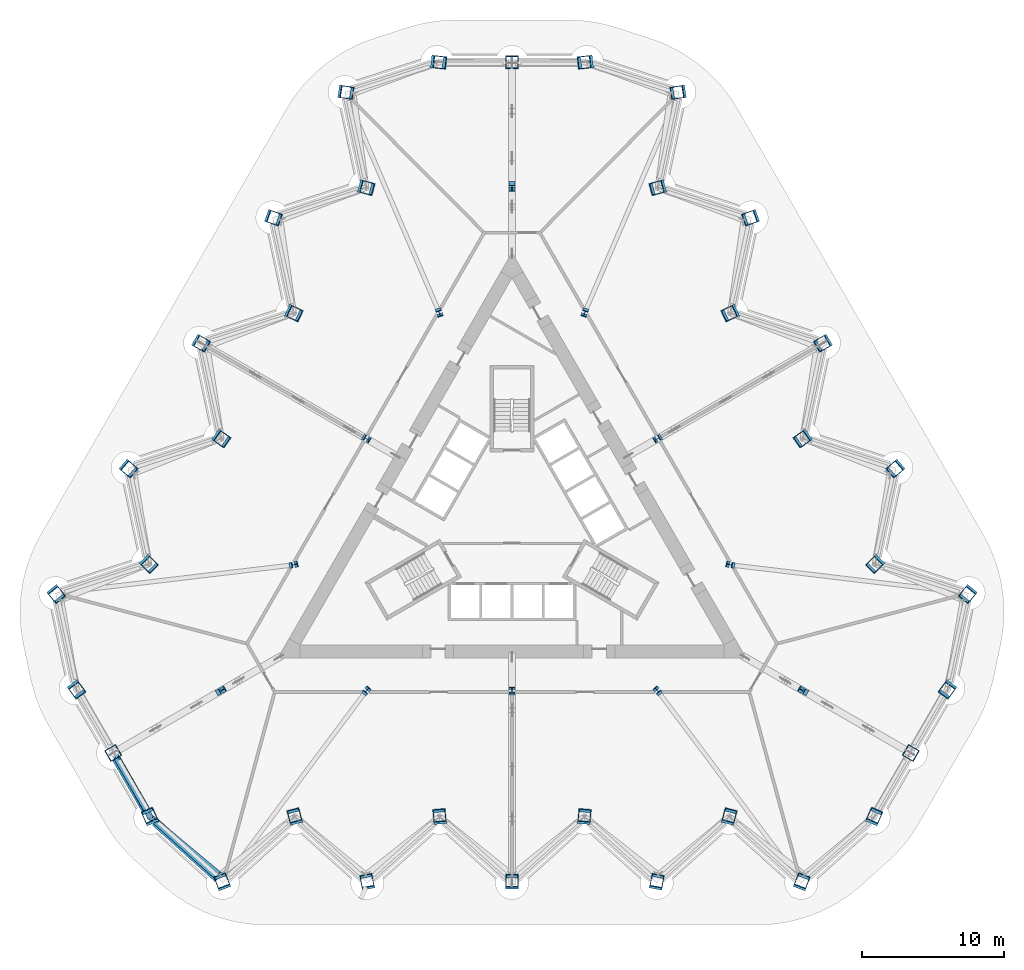
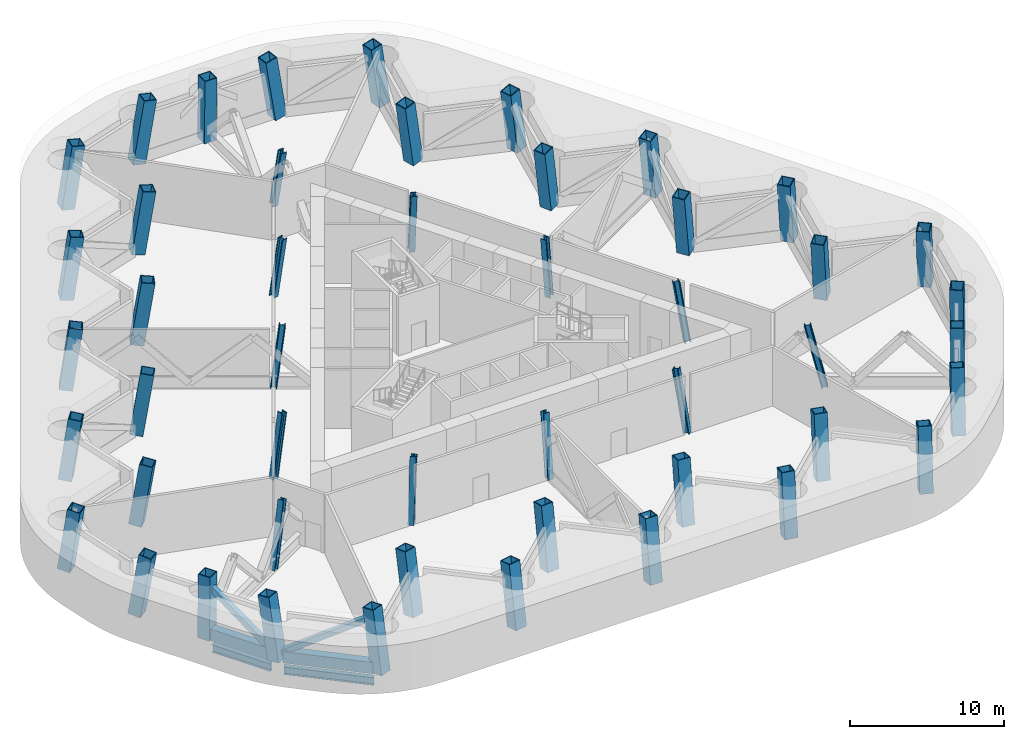
# One storey, part 1 of 13: 48 columns, 4 members, 2 beams.
"""IFC4 building model written with IfcOpenShell, lengths in metres."""

from ifc_helpers import new_model, si_unit, direction, frame, origin, origin_2d, place, context, subcontext, project, spatial, hollow_rectangle, i_section, extrude, material, material_profile, profile_set, type_object, element, save


model = new_model("IFC4")

# Units and contexts
model_context = context("Model", 3, precision=1e-05, world=origin(), true_north=direction((0.0, 1.0)))
body_context = subcontext(model_context, "Body", "Model", "MODEL_VIEW")
ifc_project = project(units=[si_unit("LENGTHUNIT", "METRE"), si_unit("AREAUNIT", "SQUARE_METRE"), si_unit("VOLUMEUNIT", "CUBIC_METRE"), si_unit("PLANEANGLEUNIT", "RADIAN"), si_unit("MASSUNIT", "GRAM", prefix="KILO")], contexts=[model_context])

# Site, building, storey
site_placement = place(None, origin())
site = spatial("IfcSite", under=ifc_project, at=site_placement, CompositionType="ELEMENT")
building_placement = place(site_placement, origin())
building = spatial("IfcBuilding", under=site, at=building_placement, Name="Cormorant Prow Tower", CompositionType="ELEMENT")
storey_placement = place(building_placement, frame((0.0, 0.0, 164.199951171875)))
storey = spatial("IfcBuildingStorey", under=building, at=storey_placement, Name="L34", CompositionType="ELEMENT", Elevation=164.199951171875)

# Columns
ifc_material_1 = material(Name="Structural steel ASTM A572 Gr 50", Category="steel")
ifc_material_profile_1 = material_profile(ifc_material_1, hollow_rectangle(XDim=0.89990234375, YDim=0.89990234375, WallThickness=0.06005859375, at=origin_2d()), Name="Box 900x900x60")
ifc_profile_set_1 = profile_set([ifc_material_profile_1], Name="Structural steel ASTM A572 Gr 50")
column_type_1 = type_object("IfcColumnType", Name="Perimeter box column 900x900x60", PredefinedType="COLUMN", material=ifc_profile_set_1)
column_1_placement = place(storey_placement, frame((-25.499755859375, -20.80712890625, 0.0), z_axis=(-0.063925118443, 0.145301890638, 0.987320079715), x_axis=(-0.915332943749, -0.402697904251, 0.0)))
element("IfcColumn", 1, at=column_1_placement, inside=storey, type_object=column_type_1, Name="Perimeter column C3 at S00 L34", PredefinedType="COLUMN", context=body_context, shape_type="SweptSolid", body=[
    extrude(hollow_rectangle(XDim=0.89990234375, YDim=0.89990234375, WallThickness=0.06005859375, at=origin_2d()), frame((0.0, 0.0, 0.072265625)), (0.0, 0.0, 1.0), 4.91943359375),
])
column_2_placement = place(storey_placement, frame((-20.399658203125, -25.399169921875, 0.0), z_axis=(-0.051318190418, 0.13409414163, 0.989638926333), x_axis=(-0.93394282344, -0.3574224427, 0.0)))
element("IfcColumn", 2, at=column_2_placement, inside=storey, type_object=column_type_1, Name="Perimeter column C3 at S01 L34", PredefinedType="COLUMN", context=body_context, shape_type="SweptSolid", body=[
    extrude(hollow_rectangle(XDim=0.89990234375, YDim=0.89990234375, WallThickness=0.06005859375, at=origin_2d()), frame((0.0, 0.0, 0.065185546875)), (0.0, 0.0, 1.0), 4.921875),
])
column_3_placement = place(storey_placement, frame((-15.2998046875, -20.80712890625, 0.0), z_axis=(-0.038424605206, 0.145492160916, 0.988612958051), x_axis=(-0.966849777203, -0.255345860204, 0.0)))
element("IfcColumn", 3, at=column_3_placement, inside=storey, type_object=column_type_1, Name="Perimeter column C3 at S02 L34", PredefinedType="COLUMN", context=body_context, shape_type="SweptSolid", body=[
    extrude(hollow_rectangle(XDim=0.89990234375, YDim=0.89990234375, WallThickness=0.06005859375, at=origin_2d()), frame((0.0, 0.0, 0.068603515625)), (0.0, 0.0, 1.0), 4.920654296875),
])
column_4_placement = place(storey_placement, frame((-10.199951171875, -25.399169921875, 0.0), z_axis=(-0.025636135128, 0.134226933927, 0.990618957412), x_axis=(-0.982245501071, -0.187600041646, 0.0)))
element("IfcColumn", 4, at=column_4_placement, inside=storey, type_object=column_type_1, Name="Perimeter column C3 at S03 L34", PredefinedType="COLUMN", context=body_context, shape_type="SweptSolid", body=[
    extrude(hollow_rectangle(XDim=0.89990234375, YDim=0.89990234375, WallThickness=0.06005859375, at=origin_2d()), frame((0.0, 0.0, 0.06201171875)), (0.0, 0.0, 1.0), 4.923095703125),
])
column_5_placement = place(storey_placement, frame((-5.099853515625, -20.80712890625, 0.0), z_axis=(-0.012848812001, 0.145587666803, 0.989261916433), x_axis=(-0.996128147691, -0.087913101289, 0.0)))
element("IfcColumn", 5, at=column_5_placement, inside=storey, type_object=column_type_1, Name="Perimeter column C3 at S04 L34", PredefinedType="COLUMN", context=body_context, shape_type="SweptSolid", body=[
    extrude(hollow_rectangle(XDim=0.89990234375, YDim=0.89990234375, WallThickness=0.06005859375, at=origin_2d()), frame((0.0, 0.0, 0.06640625)), (0.0, 0.0, 1.0), 4.92138671875),
])
column_6_placement = place(storey_placement, frame((0.0, -25.399169921875, 0.0), z_axis=(0.0, 0.134271063417, 0.990944641001), x_axis=(-1.0, 0.0, 0.0)))
element("IfcColumn", 6, at=column_6_placement, inside=storey, type_object=column_type_1, Name="Perimeter column C3 at S05 L34", PredefinedType="COLUMN", context=body_context, shape_type="SweptSolid", body=[
    extrude(hollow_rectangle(XDim=0.89990234375, YDim=0.89990234375, WallThickness=0.06005859375, at=origin_2d()), frame((0.0, 0.0, 0.06103515625)), (0.0, 0.0, 1.0), 4.923828125),
])
column_7_placement = place(storey_placement, frame((5.099853515625, -20.80712890625, 0.0), z_axis=(0.012848812001, 0.145587666803, 0.989261916433), x_axis=(-0.996128147691, 0.087913101289, 0.0)))
element("IfcColumn", 7, at=column_7_placement, inside=storey, type_object=column_type_1, Name="Perimeter column C3 at S06 L34", PredefinedType="COLUMN", context=body_context, shape_type="SweptSolid", body=[
    extrude(hollow_rectangle(XDim=0.89990234375, YDim=0.89990234375, WallThickness=0.06005859375, at=origin_2d()), frame((0.0, 0.0, 0.06640625)), (0.0, 0.0, 1.0), 4.92138671875),
])
column_8_placement = place(storey_placement, frame((10.199951171875, -25.399169921875, 0.0), z_axis=(0.025636135128, 0.134226933927, 0.990618957412), x_axis=(-0.982245501071, 0.187600041646, 0.0)))
element("IfcColumn", 8, at=column_8_placement, inside=storey, type_object=column_type_1, Name="Perimeter column C3 at S07 L34", PredefinedType="COLUMN", context=body_context, shape_type="SweptSolid", body=[
    extrude(hollow_rectangle(XDim=0.89990234375, YDim=0.89990234375, WallThickness=0.06005859375, at=origin_2d()), frame((0.0, 0.0, 0.06201171875)), (0.0, 0.0, 1.0), 4.923095703125),
])
column_9_placement = place(storey_placement, frame((15.2998046875, -20.80712890625, 0.0), z_axis=(0.038424605206, 0.145492160916, 0.988612958051), x_axis=(-0.966849777203, 0.255345860204, 0.0)))
element("IfcColumn", 9, at=column_9_placement, inside=storey, type_object=column_type_1, Name="Perimeter column C3 at S08 L34", PredefinedType="COLUMN", context=body_context, shape_type="SweptSolid", body=[
    extrude(hollow_rectangle(XDim=0.89990234375, YDim=0.89990234375, WallThickness=0.06005859375, at=origin_2d()), frame((0.0, 0.0, 0.068603515625)), (0.0, 0.0, 1.0), 4.920654296875),
])
column_10_placement = place(storey_placement, frame((20.399658203125, -25.399169921875, 0.0), z_axis=(0.051318190418, 0.13409414163, 0.989638926333), x_axis=(-0.93394282344, 0.3574224427, 0.0)))
element("IfcColumn", 10, at=column_10_placement, inside=storey, type_object=column_type_1, Name="Perimeter column C3 at S09 L34", PredefinedType="COLUMN", context=body_context, shape_type="SweptSolid", body=[
    extrude(hollow_rectangle(XDim=0.89990234375, YDim=0.89990234375, WallThickness=0.06005859375, at=origin_2d()), frame((0.0, 0.0, 0.065185546875)), (0.0, 0.0, 1.0), 4.921875),
])
column_11_placement = place(storey_placement, frame((25.499755859375, -20.80712890625, 0.0), z_axis=(0.063925118443, 0.145301890638, 0.987320079715), x_axis=(-0.915332943749, 0.402697904251, 0.0)))
element("IfcColumn", 11, at=column_11_placement, inside=storey, type_object=column_type_1, Name="Perimeter column C3 at ESE00 L34", PredefinedType="COLUMN", context=body_context, shape_type="SweptSolid", body=[
    extrude(hollow_rectangle(XDim=0.89990234375, YDim=0.89990234375, WallThickness=0.06005859375, at=origin_2d()), frame((0.0, 0.0, 0.072265625)), (0.0, 0.0, 1.0), 4.91943359375),
])
column_12_placement = place(storey_placement, frame((28.134521484375, -16.243408203125, 0.0), z_axis=(-0.015134407055, 0.008738899558, 0.999847279017), x_axis=(-0.500044870432, -0.865999496279, 0.0)))
element("IfcColumn", 12, at=column_12_placement, inside=storey, type_object=column_type_1, Name="Perimeter column C3 at ESE01 L34", PredefinedType="COLUMN", context=body_context, shape_type="SweptSolid", body=[
    extrude(hollow_rectangle(XDim=0.89990234375, YDim=0.89990234375, WallThickness=0.06005859375, at=origin_2d()), frame((0.0, 0.0, 0.0078125)), (0.0, 0.0, 1.0), 4.985107421875),
])
column_13_placement = place(storey_placement, frame((30.769287109375, -11.679931640625, 0.0), z_axis=(-0.093862608604, -0.128042675117, 0.987317012947), x_axis=(0.806511174803, -0.59121884689, 0.0)))
element("IfcColumn", 13, at=column_13_placement, inside=storey, type_object=column_type_1, Name="Perimeter column C3 at ENE00 L34", PredefinedType="COLUMN", context=body_context, shape_type="SweptSolid", body=[
    extrude(hollow_rectangle(XDim=0.89990234375, YDim=0.89990234375, WallThickness=0.06005859375, at=origin_2d()), frame((0.0, 0.0, 0.072265625)), (0.0, 0.0, 1.0), 4.91943359375),
])
column_14_placement = place(storey_placement, frame((32.1962890625, -4.967041015625, 0.0), z_axis=(-0.090507303602, -0.111479097389, 0.989636720641), x_axis=(0.776350696847, -0.630301194276, 0.0)))
element("IfcColumn", 14, at=column_14_placement, inside=storey, type_object=column_type_1, Name="Perimeter column C3 at ENE01 L34", PredefinedType="COLUMN", context=body_context, shape_type="SweptSolid", body=[
    extrude(hollow_rectangle(XDim=0.89990234375, YDim=0.89990234375, WallThickness=0.06005859375, at=origin_2d()), frame((0.0, 0.0, 0.065185546875)), (0.0, 0.0, 1.0), 4.921875),
])
column_15_placement = place(storey_placement, frame((25.66943359375, -2.846435546875, 0.0), z_axis=(-0.106777681535, -0.106053601417, 0.988610722354), x_axis=(0.70469703233, -0.709508345705, 0.0)))
element("IfcColumn", 15, at=column_15_placement, inside=storey, type_object=column_type_1, Name="Perimeter column C3 at ENE02 L34", PredefinedType="COLUMN", context=body_context, shape_type="SweptSolid", body=[
    extrude(hollow_rectangle(XDim=0.89990234375, YDim=0.89990234375, WallThickness=0.06005859375, at=origin_2d()), frame((0.0, 0.0, 0.068603515625)), (0.0, 0.0, 1.0), 4.920654296875),
])
column_16_placement = place(storey_placement, frame((27.09619140625, 3.8662109375, 0.0), z_axis=(-0.103415089439, -0.089339415432, 0.990617881994), x_axis=(0.653730443992, -0.756727498243, 0.0)))
element("IfcColumn", 16, at=column_16_placement, inside=storey, type_object=column_type_1, Name="Perimeter column C3 at ENE03 L34", PredefinedType="COLUMN", context=body_context, shape_type="SweptSolid", body=[
    extrude(hollow_rectangle(XDim=0.89990234375, YDim=0.89990234375, WallThickness=0.06005859375, at=origin_2d()), frame((0.0, 0.0, 0.06201171875)), (0.0, 0.0, 1.0), 4.923095703125),
])
column_17_placement = place(storey_placement, frame((20.569580078125, 5.98681640625, 0.0), z_axis=(-0.119696450413, -0.083903444055, 0.98925879922), x_axis=(0.573994494418, -0.81885915784, 0.0)))
element("IfcColumn", 17, at=column_17_placement, inside=storey, type_object=column_type_1, Name="Perimeter column C3 at ENE04 L34", PredefinedType="COLUMN", context=body_context, shape_type="SweptSolid", body=[
    extrude(hollow_rectangle(XDim=0.89990234375, YDim=0.89990234375, WallThickness=0.06005859375, at=origin_2d()), frame((0.0, 0.0, 0.06640625)), (0.0, 0.0, 1.0), 4.92138671875),
])
column_18_placement = place(storey_placement, frame((21.996337890625, 12.699462890625, 0.0), z_axis=(-0.116319547646, -0.067111153322, 0.990941903411), x_axis=(0.499743247872, -0.866173588957, 0.0)))
element("IfcColumn", 18, at=column_18_placement, inside=storey, type_object=column_type_1, Name="Perimeter column C3 at ENE05 L34", PredefinedType="COLUMN", context=body_context, shape_type="SweptSolid", body=[
    extrude(hollow_rectangle(XDim=0.89990234375, YDim=0.89990234375, WallThickness=0.06005859375, at=origin_2d()), frame((0.0, 0.0, 0.06103515625)), (0.0, 0.0, 1.0), 4.923828125),
])
column_19_placement = place(storey_placement, frame((15.469482421875, 14.8203125, 0.0), z_axis=(-0.132496967738, -0.061732090692, 0.989259168529), x_axis=(0.422324571588, -0.90644467908, 0.0)))
element("IfcColumn", 19, at=column_19_placement, inside=storey, type_object=column_type_1, Name="Perimeter column C3 at ENE06 L34", PredefinedType="COLUMN", context=body_context, shape_type="SweptSolid", body=[
    extrude(hollow_rectangle(XDim=0.89990234375, YDim=0.89990234375, WallThickness=0.06005859375, at=origin_2d()), frame((0.0, 0.0, 0.06640625)), (0.0, 0.0, 1.0), 4.92138671875),
])
column_20_placement = place(storey_placement, frame((16.896240234375, 21.532958984375, 0.0), z_axis=(-0.129051656436, -0.044887532673, 0.990621410722), x_axis=(0.328520624941, -0.944496796706, 0.0)))
element("IfcColumn", 20, at=column_20_placement, inside=storey, type_object=column_type_1, Name="Perimeter column C3 at ENE07 L34", PredefinedType="COLUMN", context=body_context, shape_type="SweptSolid", body=[
    extrude(hollow_rectangle(XDim=0.89990234375, YDim=0.89990234375, WallThickness=0.06005859375, at=origin_2d()), frame((0.0, 0.0, 0.06201171875)), (0.0, 0.0, 1.0), 4.923095703125),
])
column_21_placement = place(storey_placement, frame((10.36962890625, 23.653564453125, 0.0), z_axis=(-0.145202633779, -0.039486620489, 0.988613676795), x_axis=(0.262411582967, -0.964956041032, 0.0)))
element("IfcColumn", 21, at=column_21_placement, inside=storey, type_object=column_type_1, Name="Perimeter column C3 at ENE08 L34", PredefinedType="COLUMN", context=body_context, shape_type="SweptSolid", body=[
    extrude(hollow_rectangle(XDim=0.89990234375, YDim=0.89990234375, WallThickness=0.06005859375, at=origin_2d()), frame((0.0, 0.0, 0.068603515625)), (0.0, 0.0, 1.0), 4.920654296875),
])
column_22_placement = place(storey_placement, frame((11.79638671875, 30.3662109375, 0.0), z_axis=(-0.141777553788, -0.022614824531, 0.989640184589), x_axis=(0.157517910379, -0.987516130455, 0.0)))
element("IfcColumn", 22, at=column_22_placement, inside=storey, type_object=column_type_1, Name="Perimeter column C3 at ENE09 L34", PredefinedType="COLUMN", context=body_context, shape_type="SweptSolid", body=[
    extrude(hollow_rectangle(XDim=0.89990234375, YDim=0.89990234375, WallThickness=0.06005859375, at=origin_2d()), frame((0.0, 0.0, 0.065185546875)), (0.0, 0.0, 1.0), 4.921875),
])
column_23_placement = place(storey_placement, frame((5.269775390625, 32.487060546875, 0.0), z_axis=(-0.157835221571, -0.017306916476, 0.987313786733), x_axis=(0.108998487373, -0.99404191549, 0.0)))
element("IfcColumn", 23, at=column_23_placement, inside=storey, type_object=column_type_1, Name="Perimeter column C3 at N00 L34", PredefinedType="COLUMN", context=body_context, shape_type="SweptSolid", body=[
    extrude(hollow_rectangle(XDim=0.89990234375, YDim=0.89990234375, WallThickness=0.06005859375, at=origin_2d()), frame((0.0, 0.0, 0.072265625)), (0.0, 0.0, 1.0), 4.91943359375),
])
column_24_placement = place(storey_placement, frame((0.0, 32.487060546875, 0.0), z_axis=(0.0, -0.017526604327, 0.999846397273), x_axis=(1.0, 0.0, 0.0)))
element("IfcColumn", 24, at=column_24_placement, inside=storey, type_object=column_type_1, Name="Perimeter column C3 at N01 L34", PredefinedType="COLUMN", context=body_context, shape_type="SweptSolid", body=[
    extrude(hollow_rectangle(XDim=0.89990234375, YDim=0.89990234375, WallThickness=0.06005859375, at=origin_2d()), frame((0.0, 0.0, 0.0078125)), (0.0, 0.0, 1.0), 4.985107421875),
])
column_25_placement = place(storey_placement, frame((-5.269775390625, 32.487060546875, 0.0), z_axis=(0.157835221571, -0.017306916476, 0.987313786733), x_axis=(0.108998487373, 0.99404191549, 0.0)))
element("IfcColumn", 25, at=column_25_placement, inside=storey, type_object=column_type_1, Name="Perimeter column C3 at WNW00 L34", PredefinedType="COLUMN", context=body_context, shape_type="SweptSolid", body=[
    extrude(hollow_rectangle(XDim=0.89990234375, YDim=0.89990234375, WallThickness=0.06005859375, at=origin_2d()), frame((0.0, 0.0, 0.072265625)), (0.0, 0.0, 1.0), 4.91943359375),
])
column_26_placement = place(storey_placement, frame((-11.79638671875, 30.3662109375, 0.0), z_axis=(0.141777553788, -0.022614824531, 0.989640184589), x_axis=(0.157517910379, 0.987516130455, 0.0)))
element("IfcColumn", 26, at=column_26_placement, inside=storey, type_object=column_type_1, Name="Perimeter column C3 at WNW01 L34", PredefinedType="COLUMN", context=body_context, shape_type="SweptSolid", body=[
    extrude(hollow_rectangle(XDim=0.89990234375, YDim=0.89990234375, WallThickness=0.06005859375, at=origin_2d()), frame((0.0, 0.0, 0.065185546875)), (0.0, 0.0, 1.0), 4.921875),
])
column_27_placement = place(storey_placement, frame((-10.36962890625, 23.653564453125, 0.0), z_axis=(0.145202633779, -0.039486620489, 0.988613676795), x_axis=(0.262411582967, 0.964956041032, 0.0)))
element("IfcColumn", 27, at=column_27_placement, inside=storey, type_object=column_type_1, Name="Perimeter column C3 at WNW02 L34", PredefinedType="COLUMN", context=body_context, shape_type="SweptSolid", body=[
    extrude(hollow_rectangle(XDim=0.89990234375, YDim=0.89990234375, WallThickness=0.06005859375, at=origin_2d()), frame((0.0, 0.0, 0.068603515625)), (0.0, 0.0, 1.0), 4.920654296875),
])
column_28_placement = place(storey_placement, frame((-16.896240234375, 21.532958984375, 0.0), z_axis=(0.129051656436, -0.044887532673, 0.990621410722), x_axis=(0.328520624941, 0.944496796706, 0.0)))
element("IfcColumn", 28, at=column_28_placement, inside=storey, type_object=column_type_1, Name="Perimeter column C3 at WNW03 L34", PredefinedType="COLUMN", context=body_context, shape_type="SweptSolid", body=[
    extrude(hollow_rectangle(XDim=0.89990234375, YDim=0.89990234375, WallThickness=0.06005859375, at=origin_2d()), frame((0.0, 0.0, 0.06201171875)), (0.0, 0.0, 1.0), 4.923095703125),
])
column_29_placement = place(storey_placement, frame((-15.469482421875, 14.8203125, 0.0), z_axis=(0.132496967738, -0.061732090692, 0.989259168529), x_axis=(0.422324571588, 0.90644467908, 0.0)))
element("IfcColumn", 29, at=column_29_placement, inside=storey, type_object=column_type_1, Name="Perimeter column C3 at WNW04 L34", PredefinedType="COLUMN", context=body_context, shape_type="SweptSolid", body=[
    extrude(hollow_rectangle(XDim=0.89990234375, YDim=0.89990234375, WallThickness=0.06005859375, at=origin_2d()), frame((0.0, 0.0, 0.06640625)), (0.0, 0.0, 1.0), 4.92138671875),
])
column_30_placement = place(storey_placement, frame((-21.996337890625, 12.699462890625, 0.0), z_axis=(0.116319547646, -0.067111153322, 0.990941903411), x_axis=(0.499743247872, 0.866173588957, 0.0)))
element("IfcColumn", 30, at=column_30_placement, inside=storey, type_object=column_type_1, Name="Perimeter column C3 at WNW05 L34", PredefinedType="COLUMN", context=body_context, shape_type="SweptSolid", body=[
    extrude(hollow_rectangle(XDim=0.89990234375, YDim=0.89990234375, WallThickness=0.06005859375, at=origin_2d()), frame((0.0, 0.0, 0.06103515625)), (0.0, 0.0, 1.0), 4.923828125),
])
column_31_placement = place(storey_placement, frame((-20.569580078125, 5.98681640625, 0.0), z_axis=(0.119696450413, -0.083903444055, 0.98925879922), x_axis=(0.573994494418, 0.81885915784, 0.0)))
element("IfcColumn", 31, at=column_31_placement, inside=storey, type_object=column_type_1, Name="Perimeter column C3 at WNW06 L34", PredefinedType="COLUMN", context=body_context, shape_type="SweptSolid", body=[
    extrude(hollow_rectangle(XDim=0.89990234375, YDim=0.89990234375, WallThickness=0.06005859375, at=origin_2d()), frame((0.0, 0.0, 0.06640625)), (0.0, 0.0, 1.0), 4.92138671875),
])
column_32_placement = place(storey_placement, frame((-27.09619140625, 3.8662109375, 0.0), z_axis=(0.103415089439, -0.089339415432, 0.990617881994), x_axis=(0.653730443992, 0.756727498243, 0.0)))
element("IfcColumn", 32, at=column_32_placement, inside=storey, type_object=column_type_1, Name="Perimeter column C3 at WNW07 L34", PredefinedType="COLUMN", context=body_context, shape_type="SweptSolid", body=[
    extrude(hollow_rectangle(XDim=0.89990234375, YDim=0.89990234375, WallThickness=0.06005859375, at=origin_2d()), frame((0.0, 0.0, 0.06201171875)), (0.0, 0.0, 1.0), 4.923095703125),
])
column_33_placement = place(storey_placement, frame((-25.66943359375, -2.846435546875, 0.0), z_axis=(0.106777681535, -0.106053601417, 0.988610722354), x_axis=(0.70469703233, 0.709508345705, 0.0)))
element("IfcColumn", 33, at=column_33_placement, inside=storey, type_object=column_type_1, Name="Perimeter column C3 at WNW08 L34", PredefinedType="COLUMN", context=body_context, shape_type="SweptSolid", body=[
    extrude(hollow_rectangle(XDim=0.89990234375, YDim=0.89990234375, WallThickness=0.06005859375, at=origin_2d()), frame((0.0, 0.0, 0.068603515625)), (0.0, 0.0, 1.0), 4.920654296875),
])
column_34_placement = place(storey_placement, frame((-32.1962890625, -4.967041015625, 0.0), z_axis=(0.090507303602, -0.111479097389, 0.989636720641), x_axis=(0.776350696847, 0.630301194276, 0.0)))
element("IfcColumn", 34, at=column_34_placement, inside=storey, type_object=column_type_1, Name="Perimeter column C3 at WNW09 L34", PredefinedType="COLUMN", context=body_context, shape_type="SweptSolid", body=[
    extrude(hollow_rectangle(XDim=0.89990234375, YDim=0.89990234375, WallThickness=0.06005859375, at=origin_2d()), frame((0.0, 0.0, 0.065185546875)), (0.0, 0.0, 1.0), 4.921875),
])
column_35_placement = place(storey_placement, frame((-30.769287109375, -11.679931640625, 0.0), z_axis=(0.093862608604, -0.128042675117, 0.987317012947), x_axis=(0.806511174803, 0.59121884689, 0.0)))
element("IfcColumn", 35, at=column_35_placement, inside=storey, type_object=column_type_1, Name="Perimeter column C3 at WSW00 L34", PredefinedType="COLUMN", context=body_context, shape_type="SweptSolid", body=[
    extrude(hollow_rectangle(XDim=0.89990234375, YDim=0.89990234375, WallThickness=0.06005859375, at=origin_2d()), frame((0.0, 0.0, 0.072265625)), (0.0, 0.0, 1.0), 4.91943359375),
])
column_36_placement = place(storey_placement, frame((-28.134521484375, -16.243408203125, 0.0), z_axis=(0.015134407055, 0.008738899558, 0.999847279017), x_axis=(-0.500044870432, 0.865999496279, 0.0)))
element("IfcColumn", 36, at=column_36_placement, inside=storey, type_object=column_type_1, Name="Perimeter column C3 at WSW01 L34", PredefinedType="COLUMN", context=body_context, shape_type="SweptSolid", body=[
    extrude(hollow_rectangle(XDim=0.89990234375, YDim=0.89990234375, WallThickness=0.06005859375, at=origin_2d()), frame((0.0, 0.0, 0.0078125)), (0.0, 0.0, 1.0), 4.985107421875),
])
ifc_material_2 = material(Name="Structural steel ASTM A992 Gr 50", Category="steel")
ifc_material_profile_2 = material_profile(ifc_material_2, i_section(OverallWidth=0.412109375, OverallDepth=0.434814453125, WebThickness=0.035888671875, FlangeThickness=0.057373046875, at=origin_2d()), Name="W14x311")
ifc_profile_set_2 = profile_set([ifc_material_profile_2], Name="Structural steel ASTM A992 Gr 50")
column_type_2 = type_object("IfcColumnType", Name="Ring column W14x311", PredefinedType="COLUMN", material=ifc_profile_set_2)
column_37_placement = place(storey_placement, frame((0.0, 23.8525390625, 0.0), z_axis=(0.0, -0.225033234748, 0.974351088294), x_axis=(1.0, 0.0, 0.0)))
element("IfcColumn", 37, at=column_37_placement, inside=storey, type_object=column_type_2, Name="Ring column 1 L34", PredefinedType="COLUMN", context=body_context, shape_type="SweptSolid", body=[
    extrude(i_section(OverallWidth=0.412109375, OverallDepth=0.434814453125, WebThickness=0.035888671875, FlangeThickness=0.057373046875, at=origin_2d()), frame((0.0, 0.0, 0.05029296875)), (0.0, 0.0, 1.0), 5.03125),
])
column_38_placement = place(storey_placement, frame((-5.164306640625, 14.907958984375, 0.0), z_axis=(0.049426691836, -0.142680958073, 0.988533836719), x_axis=(0.944910039342, 0.327330135415, 0.0)))
element("IfcColumn", 38, at=column_38_placement, inside=storey, type_object=column_type_2, Name="Ring column 2 L34", PredefinedType="COLUMN", context=body_context, shape_type="SweptSolid", body=[
    extrude(i_section(OverallWidth=0.412109375, OverallDepth=0.434814453125, WebThickness=0.035888671875, FlangeThickness=0.057373046875, at=origin_2d()), frame((0.0, 0.0, 0.033203125)), (0.0, 0.0, 1.0), 4.99169921875),
])
column_39_placement = place(storey_placement, frame((-10.328369140625, 5.963134765625, 0.0), z_axis=(0.099340040995, -0.057333949442, 0.993400409954), x_axis=(0.499868889286, 0.866101087359, 0.0)))
element("IfcColumn", 39, at=column_39_placement, inside=storey, type_object=column_type_2, Name="Ring column 3 L34", PredefinedType="COLUMN", context=body_context, shape_type="SweptSolid", body=[
    extrude(i_section(OverallWidth=0.412109375, OverallDepth=0.434814453125, WebThickness=0.035888671875, FlangeThickness=0.057373046875, at=origin_2d()), frame((0.0, 0.0, 0.025146484375)), (0.0, 0.0, 1.0), 4.98291015625),
])
column_40_placement = place(storey_placement, frame((-15.49267578125, -2.981689453125, 0.0), z_axis=(0.148279879283, 0.028574768404, 0.988532528555), x_axis=(-0.189226752312, 0.981933417401, 0.0)))
element("IfcColumn", 40, at=column_40_placement, inside=storey, type_object=column_type_2, Name="Ring column 4 L34", PredefinedType="COLUMN", context=body_context, shape_type="SweptSolid", body=[
    extrude(i_section(OverallWidth=0.412109375, OverallDepth=0.434814453125, WebThickness=0.035888671875, FlangeThickness=0.057373046875, at=origin_2d()), frame((0.0, 0.0, 0.033203125)), (0.0, 0.0, 1.0), 4.99169921875),
])
column_41_placement = place(storey_placement, frame((-20.656982421875, -11.92626953125, 0.0), z_axis=(0.194870759968, 0.112516930499, 0.974353799839), x_axis=(-0.500027479704, 0.866009537788, 0.0)))
element("IfcColumn", 41, at=column_41_placement, inside=storey, type_object=column_type_2, Name="Ring column 5 L34", PredefinedType="COLUMN", context=body_context, shape_type="SweptSolid", body=[
    extrude(i_section(OverallWidth=0.412109375, OverallDepth=0.434814453125, WebThickness=0.035888671875, FlangeThickness=0.057373046875, at=origin_2d()), frame((0.0, 0.0, 0.05029296875)), (0.0, 0.0, 1.0), 5.03125),
])
column_42_placement = place(storey_placement, frame((-10.328369140625, -11.92626953125, 0.0), z_axis=(0.098853266559, 0.114154284869, 0.988532665589), x_axis=(-0.755952685413, 0.654626257812, 0.0)))
element("IfcColumn", 42, at=column_42_placement, inside=storey, type_object=column_type_2, Name="Ring column 6 L34", PredefinedType="COLUMN", context=body_context, shape_type="SweptSolid", body=[
    extrude(i_section(OverallWidth=0.412109375, OverallDepth=0.434814453125, WebThickness=0.035888671875, FlangeThickness=0.057373046875, at=origin_2d()), frame((0.0, 0.0, 0.033203125)), (0.0, 0.0, 1.0), 4.99169921875),
])
column_43_placement = place(storey_placement, frame((0.0, -11.92626953125, 0.0), z_axis=(0.0, 0.114716162252, 0.993398309903), x_axis=(-1.0, 0.0, 0.0)))
element("IfcColumn", 43, at=column_43_placement, inside=storey, type_object=column_type_2, Name="Ring column 7 L34", PredefinedType="COLUMN", context=body_context, shape_type="SweptSolid", body=[
    extrude(i_section(OverallWidth=0.412109375, OverallDepth=0.434814453125, WebThickness=0.035888671875, FlangeThickness=0.057373046875, at=origin_2d()), frame((0.0, 0.0, 0.025146484375)), (0.0, 0.0, 1.0), 4.98291015625),
])
column_44_placement = place(storey_placement, frame((10.328369140625, -11.92626953125, 0.0), z_axis=(-0.098853266559, 0.114154284869, 0.988532665589), x_axis=(-0.755952685413, -0.654626257812, 0.0)))
element("IfcColumn", 44, at=column_44_placement, inside=storey, type_object=column_type_2, Name="Ring column 8 L34", PredefinedType="COLUMN", context=body_context, shape_type="SweptSolid", body=[
    extrude(i_section(OverallWidth=0.412109375, OverallDepth=0.434814453125, WebThickness=0.035888671875, FlangeThickness=0.057373046875, at=origin_2d()), frame((0.0, 0.0, 0.033203125)), (0.0, 0.0, 1.0), 4.99169921875),
])
column_45_placement = place(storey_placement, frame((20.656982421875, -11.92626953125, 0.0), z_axis=(-0.194870759968, 0.112516930499, 0.974353799839), x_axis=(-0.500027479704, -0.866009537788, 0.0)))
element("IfcColumn", 45, at=column_45_placement, inside=storey, type_object=column_type_2, Name="Ring column 9 L34", PredefinedType="COLUMN", context=body_context, shape_type="SweptSolid", body=[
    extrude(i_section(OverallWidth=0.412109375, OverallDepth=0.434814453125, WebThickness=0.035888671875, FlangeThickness=0.057373046875, at=origin_2d()), frame((0.0, 0.0, 0.05029296875)), (0.0, 0.0, 1.0), 5.03125),
])
column_46_placement = place(storey_placement, frame((15.49267578125, -2.981689453125, 0.0), z_axis=(-0.148279879283, 0.028574768404, 0.988532528555), x_axis=(-0.189226752312, -0.981933417401, 0.0)))
element("IfcColumn", 46, at=column_46_placement, inside=storey, type_object=column_type_2, Name="Ring column 10 L34", PredefinedType="COLUMN", context=body_context, shape_type="SweptSolid", body=[
    extrude(i_section(OverallWidth=0.412109375, OverallDepth=0.434814453125, WebThickness=0.035888671875, FlangeThickness=0.057373046875, at=origin_2d()), frame((0.0, 0.0, 0.033203125)), (0.0, 0.0, 1.0), 4.99169921875),
])
column_47_placement = place(storey_placement, frame((10.328369140625, 5.963134765625, 0.0), z_axis=(-0.099340040995, -0.057333949442, 0.993400409954), x_axis=(0.499868889286, -0.866101087359, 0.0)))
element("IfcColumn", 47, at=column_47_placement, inside=storey, type_object=column_type_2, Name="Ring column 11 L34", PredefinedType="COLUMN", context=body_context, shape_type="SweptSolid", body=[
    extrude(i_section(OverallWidth=0.412109375, OverallDepth=0.434814453125, WebThickness=0.035888671875, FlangeThickness=0.057373046875, at=origin_2d()), frame((0.0, 0.0, 0.025146484375)), (0.0, 0.0, 1.0), 4.98291015625),
])
column_48_placement = place(storey_placement, frame((5.164306640625, 14.907958984375, 0.0), z_axis=(-0.049426691836, -0.142680958073, 0.988533836719), x_axis=(0.944910039342, -0.327330135415, 0.0)))
element("IfcColumn", 48, at=column_48_placement, inside=storey, type_object=column_type_2, Name="Ring column 12 L34", PredefinedType="COLUMN", context=body_context, shape_type="SweptSolid", body=[
    extrude(i_section(OverallWidth=0.412109375, OverallDepth=0.434814453125, WebThickness=0.035888671875, FlangeThickness=0.057373046875, at=origin_2d()), frame((0.0, 0.0, 0.033203125)), (0.0, 0.0, 1.0), 4.99169921875),
])

# Members
ifc_material_3 = material(Name="Structural steel ASTM A572 Gr 50", Category="steel")
ifc_material_profile_3 = material_profile(ifc_material_3, hollow_rectangle(XDim=0.60009765625, YDim=0.89990234375, WallThickness=0.06005859375, at=origin_2d()), Name="Box 900x600x60")
ifc_profile_set_3 = profile_set([ifc_material_profile_3], Name="Structural steel ASTM A572 Gr 50")
member_type_1 = type_object("IfcMemberType", Name="Belt truss bottom chord 900x600x60", PredefinedType="CHORD", material=ifc_profile_set_3)
member_1_placement = place(storey_placement, frame((-25.165283203125, -21.108154296875, 0.449951171875), z_axis=(0.743131253571, -0.66914567918, 0.0), x_axis=(0.66914567918, 0.743131253571, 0.0)))
element("IfcMember", 49, at=member_1_placement, inside=storey, type_object=member_type_1, Name="Belt truss bottom chord S00-S01 L34", PredefinedType="CHORD", context=body_context, shape_type="SweptSolid", body=[
    extrude(hollow_rectangle(XDim=0.60009765625, YDim=0.89990234375, WallThickness=0.06005859375, at=origin_2d()), origin(), (0.0, 0.0, 1.0), 5.962890625),
])
member_2_placement = place(storey_placement, frame((-27.909423828125, -16.63330078125, 0.449951171875), z_axis=(0.500002967982, -0.866023690213, 0.0), x_axis=(0.866023690213, 0.500002967982, 0.0)))
element("IfcMember", 50, at=member_2_placement, inside=storey, type_object=member_type_1, Name="Belt truss bottom chord WSW01-S00 L34", PredefinedType="CHORD", context=body_context, shape_type="SweptSolid", body=[
    extrude(hollow_rectangle(XDim=0.60009765625, YDim=0.89990234375, WallThickness=0.06005859375, at=origin_2d()), origin(), (0.0, 0.0, 1.0), 4.36962890625),
])
ifc_material_4 = material(Name="Structural steel ASTM A500 Gr C", Category="steel")
ifc_material_profile_4 = material_profile(ifc_material_4, hollow_rectangle(XDim=0.406494140625, YDim=0.406494140625, WallThickness=0.014892578125, at=origin_2d()), Name="HSS16x16x5/8")
ifc_profile_set_4 = profile_set([ifc_material_profile_4], Name="Structural steel ASTM A500 Gr C")
member_type_2 = type_object("IfcMemberType", Name="Belt truss diagonal HSS16x16x5/8", PredefinedType="BRACE", material=ifc_profile_set_4)
member_3_placement = place(storey_placement, frame((-25.52880859375, -20.740966796875, 0.449951171875), z_axis=(-0.396591210918, 0.707404146098, 0.585059642691), x_axis=(-0.872272053279, -0.489020924981, 0.0)))
element("IfcMember", 51, at=member_3_placement, inside=storey, type_object=member_type_2, Name="Belt truss diagonal WSW01-S00 L34", PredefinedType="BRACE", context=body_context, shape_type="SweptSolid", body=[
    extrude(hollow_rectangle(XDim=0.406494140625, YDim=0.406494140625, WallThickness=0.014892578125, at=origin_2d()), origin(), (0.0, 0.0, 1.0), 6.40966796875),
])
ifc_material_5 = material(Name="Structural steel ASTM A500 Gr C", Category="steel")
ifc_material_profile_5 = material_profile(ifc_material_5, hollow_rectangle(XDim=0.406494140625, YDim=0.406494140625, WallThickness=0.014892578125, at=origin_2d()), Name="HSS16x16x5/8")
ifc_profile_set_5 = profile_set([ifc_material_profile_5], Name="Structural steel ASTM A500 Gr C")
member_type_3 = type_object("IfcMemberType", Name="Belt truss strut HSS16x16x5/8", PredefinedType="STRUT", material=ifc_profile_set_5)
member_4_placement = place(storey_placement, frame((-25.52880859375, -20.740966796875, 0.449951171875), z_axis=(0.662822889825, -0.551852690843, 0.506087368281), x_axis=(0.639842398585, 0.768506151552, 0.0)))
element("IfcMember", 52, at=member_4_placement, inside=storey, type_object=member_type_3, Name="Belt truss strut S00-S01 L34", PredefinedType="STRUT", context=body_context, shape_type="SweptSolid", body=[
    extrude(hollow_rectangle(XDim=0.406494140625, YDim=0.406494140625, WallThickness=0.014892578125, at=origin_2d()), origin(), (0.0, 0.0, 1.0), 7.40966796875),
])

# Beams
ifc_material_6 = material(Name="Structural steel ASTM A992 Gr 50", Category="steel")
ifc_material_profile_6 = material_profile(ifc_material_6, i_section(OverallWidth=0.32373046875, OverallDepth=0.611083984375, WebThickness=0.0126953125, FlangeThickness=0.01904296875, at=origin_2d()), Name="W24x104")
ifc_profile_set_6 = profile_set([ifc_material_profile_6], Name="Structural steel ASTM A992 Gr 50")
beam_type = type_object("IfcBeamType", Name="Spandrel beam W24x104", PredefinedType="SPANDREL", material=ifc_profile_set_6)
beam_1_placement = place(storey_placement, frame((-25.165283203125, -21.108154296875, -0.70556640625), z_axis=(0.743131253571, -0.66914567918, 0.0), x_axis=(0.66914567918, 0.743131253571, 0.0)))
element("IfcBeam", 53, at=beam_1_placement, inside=storey, type_object=beam_type, Name="Spandrel beam SB1 S00-S01 L34", PredefinedType="SPANDREL", context=body_context, shape_type="SweptSolid", body=[
    extrude(i_section(OverallWidth=0.32373046875, OverallDepth=0.611083984375, WebThickness=0.0126953125, FlangeThickness=0.01904296875, at=origin_2d()), origin(), (0.0, 0.0, 1.0), 5.962890625),
])
beam_2_placement = place(storey_placement, frame((-27.909423828125, -16.63330078125, -0.70556640625), z_axis=(0.500002967982, -0.866023690213, 0.0), x_axis=(0.866023690213, 0.500002967982, 0.0)))
element("IfcBeam", 54, at=beam_2_placement, inside=storey, type_object=beam_type, Name="Spandrel beam SB1 WSW01-S00 L34", PredefinedType="SPANDREL", context=body_context, shape_type="SweptSolid", body=[
    extrude(i_section(OverallWidth=0.32373046875, OverallDepth=0.611083984375, WebThickness=0.0126953125, FlangeThickness=0.01904296875, at=origin_2d()), origin(), (0.0, 0.0, 1.0), 4.36962890625),
])

save(model, "model.ifc")
